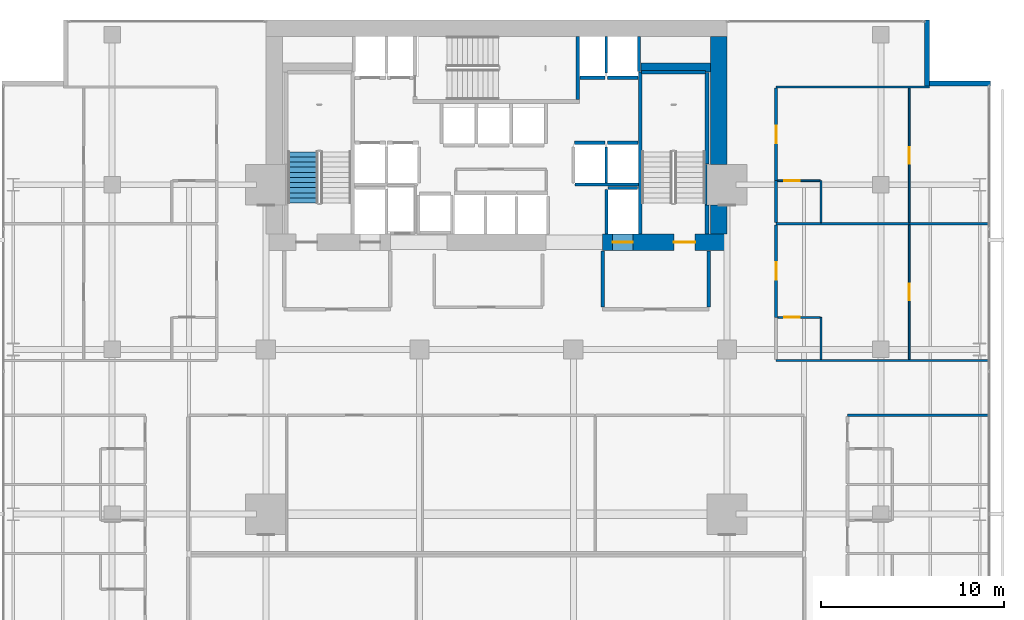
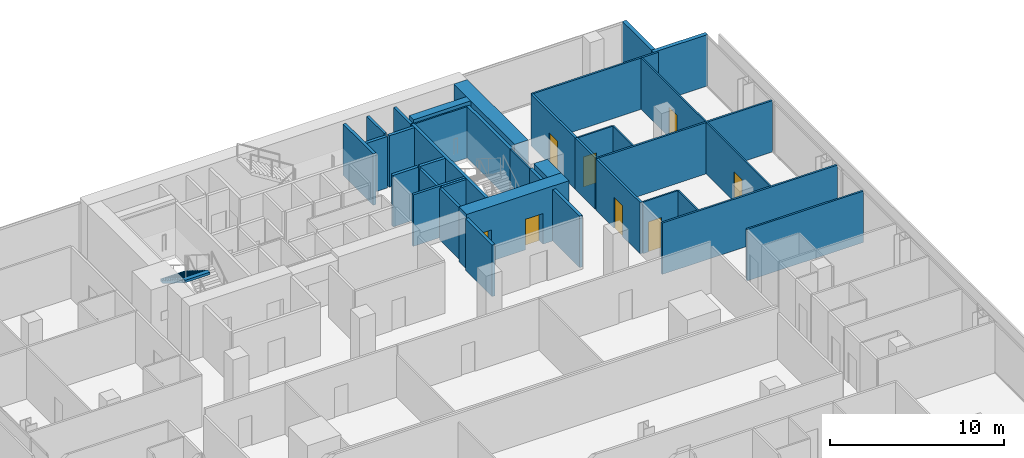
# One storey, part 37 of 40: 37 walls, 8 doors, 1 stair flight, 8 openings, 1 element without a shape of its own.
"""IFC4 building model written with IfcOpenShell, lengths in metres."""

from ifc_helpers import new_model, si_unit, direction, frame, frame_2d, origin, place, context, subcontext, project, spatial, polyline, rectangle, outline, extrude, material, layer, layer_set, type_object, element, fill, aggregate, save


model = new_model("IFC4")

# Units and contexts
model_context = context("Model", 3, precision=1e-05, world=origin(), true_north=direction((0.0, 1.0)))
body_context = subcontext(model_context, "Body", "Model", "MODEL_VIEW")
ifc_project = project(units=[si_unit("LENGTHUNIT", "METRE"), si_unit("AREAUNIT", "SQUARE_METRE"), si_unit("VOLUMEUNIT", "CUBIC_METRE"), si_unit("PLANEANGLEUNIT", "RADIAN"), si_unit("MASSUNIT", "GRAM", prefix="KILO")], contexts=[model_context])

# Site, building, storey
site_placement = place(None, origin())
site = spatial("IfcSite", under=ifc_project, at=site_placement, CompositionType="ELEMENT")
building_placement = place(site_placement, origin())
building = spatial("IfcBuilding", under=site, at=building_placement, Name="Maruvema Waterfront Hotel and Observation Tower", CompositionType="ELEMENT")
storey_placement = place(building_placement, frame((0.0, 0.0, 100.10009765625)))
storey = spatial("IfcBuildingStorey", under=building, at=storey_placement, Name="L24", CompositionType="ELEMENT", Elevation=100.10009765625)

# Wall, opening, door
ifc_material_1 = material(Name="Twin-stud acoustic gypsum drywall", Category="gypsum")
ifc_layer_1 = layer(ifc_material_1, 0.14990234375, Name="Acoustic Corridor and Suite Demising Wall 150 mm")
ifc_layer_set_1 = layer_set([ifc_layer_1], Name="Twin-stud acoustic gypsum drywall")
wall_type_1 = type_object("IfcWallType", Name="Acoustic Corridor and Suite Demising Wall 150 mm", PredefinedType="PARTITIONING", material=ifc_layer_set_1)
wall_1_placement = place(storey_placement, frame((53.080078125, 37.75, 0.0), z_axis=(0.0, 0.0, 1.0), x_axis=(0.0, 1.0, 0.0)))
wall_1 = element("IfcWall", 1, at=wall_1_placement, inside=storey, type_object=wall_type_1, Name="L24 Room L24-NE1 Corridor Wall 113", PredefinedType="PARTITIONING", context=body_context, shape_type="SweptSolid", body=[
    extrude(rectangle(XDim=5.05859375, YDim=0.14990234375, at=frame_2d((2.529296875, 0.0))), origin(), (0.0, 0.0, 1.0), 3.60986328125),
])
opening_1_placement = place(wall_1_placement, frame((2.054443359375, 0.0, 0.0)))
opening_1 = element("IfcOpeningElement", 2, at=opening_1_placement, cuts=wall_1, Name="Opening DR-095", PredefinedType="OPENING", context=body_context, shape_type="SweptSolid", body=[
    extrude(rectangle(XDim=0.949951171875, YDim=2.14990234375, at=frame_2d((0.47509765625, 1.074951171875))), frame((0.0, 0.0849609375, 0.0), z_axis=(0.0, -1.0, 0.0), x_axis=(1.0, 0.0, 0.0)), (0.0, 0.0, 1.0), 0.169921875),
])
ifc_material_2 = material(Name="Acoustic solid-core hardwood timber leaf", Category="wood")
door_type_1 = type_object("IfcDoorType", Name="Guestroom Entrance Fire Door 950x2150 mm", OperationType="NOTDEFINED", PredefinedType="DOOR", material=ifc_material_2)
door_1_placement = place(opening_1_placement, frame((0.949951171875, 0.0, 0.0), z_axis=(0.0, 0.0, 1.0), x_axis=(-1.0, 0.0, 0.0)))
door_1 = element("IfcDoor", 3, at=door_1_placement, inside=storey, type_object=door_type_1, Name="L24 Room L24-NE1 Entrance Door", OperationType="SINGLE_SWING_RIGHT", OverallHeight=2.14990234375, OverallWidth=0.949951171875, PredefinedType="DOOR", context=body_context, shape_type="SweptSolid", body=[
    extrude(rectangle(XDim=0.949951171875, YDim=2.14990234375, at=frame_2d((0.47509765625, 1.074951171875))), frame((0.0, 0.02490234375, 0.0), z_axis=(0.0, -1.0, 0.0), x_axis=(1.0, 0.0, 0.0)), (0.0, 0.0, 1.0), 0.050048828125),
])
fill(opening_1, door_1)

# Wall
wall_2_placement = place(storey_placement, frame((53.080078125, 42.9287109375, 0.0), z_axis=(0.0, 0.0, 1.0), x_axis=(0.0, 1.0, 0.0)))
element("IfcWall", 4, at=wall_2_placement, inside=storey, type_object=wall_type_1, Name="L24 Bath L24-NE2 Wall 124", PredefinedType="PARTITIONING", context=body_context, shape_type="SweptSolid", body=[
    extrude(rectangle(XDim=2.2900390625, YDim=0.14990234375, at=frame_2d((1.14501953125, 0.0))), origin(), (0.0, 0.0, 1.0), 3.60986328125),
])

# Wall, opening, door
wall_3_placement = place(storey_placement, frame((53.080078125, 45.21875, 0.0), z_axis=(0.0, 0.0, 1.0), x_axis=(0.0, 1.0, 0.0)))
wall_3 = element("IfcWall", 5, at=wall_3_placement, inside=storey, type_object=wall_type_1, Name="L24 Room L24-NE2 Corridor Wall 125", PredefinedType="PARTITIONING", context=body_context, shape_type="SweptSolid", body=[
    extrude(rectangle(XDim=5.058837890625, YDim=0.14990234375, at=frame_2d((2.529296875, 0.0))), origin(), (0.0, 0.0, 1.0), 3.60986328125),
])
opening_2_placement = place(wall_3_placement, frame((2.054443359375, 0.0, 0.0)))
opening_2 = element("IfcOpeningElement", 6, at=opening_2_placement, cuts=wall_3, Name="Opening DR-095", PredefinedType="OPENING", context=body_context, shape_type="SweptSolid", body=[
    extrude(rectangle(XDim=0.949951171875, YDim=2.14990234375, at=frame_2d((0.47509765625, 1.074951171875))), frame((0.0, 0.0849609375, 0.0), z_axis=(0.0, -1.0, 0.0), x_axis=(1.0, 0.0, 0.0)), (0.0, 0.0, 1.0), 0.169921875),
])
door_2_placement = place(opening_2_placement, frame((0.949951171875, 0.0, 0.0), z_axis=(0.0, 0.0, 1.0), x_axis=(-1.0, 0.0, 0.0)))
door_2 = element("IfcDoor", 7, at=door_2_placement, inside=storey, type_object=door_type_1, Name="L24 Room L24-NE2 Entrance Door", OperationType="SINGLE_SWING_RIGHT", OverallHeight=2.14990234375, OverallWidth=0.949951171875, PredefinedType="DOOR", context=body_context, shape_type="SweptSolid", body=[
    extrude(rectangle(XDim=0.949951171875, YDim=2.14990234375, at=frame_2d((0.47509765625, 1.074951171875))), frame((0.0, 0.02490234375, 0.0), z_axis=(0.0, -1.0, 0.0), x_axis=(1.0, 0.0, 0.0)), (0.0, 0.0, 1.0), 0.050048828125),
])
fill(opening_2, door_2)

# Walls
ifc_material_3 = material(Name="Precast concrete C45/55", Category="concrete")
ifc_layer_2 = layer(ifc_material_3, 0.199951171875, Name="Core Shaft and Stairwell Enclosure Wall 200 mm")
ifc_layer_set_2 = layer_set([ifc_layer_2], Name="Precast concrete C45/55")
wall_type_2 = type_object("IfcWallType", Name="Core Shaft and Stairwell Enclosure Wall 200 mm", PredefinedType="SOLIDWALL", material=ifc_layer_set_2)
wall_4_placement = place(storey_placement, frame((42.25, 49.64990234375, 0.0), z_axis=(0.0, 0.0, 1.0), x_axis=(0.0, 1.0, 0.0)))
element("IfcWall", 8, at=wall_4_placement, inside=storey, type_object=wall_type_2, Name="L24 Stairwell ST-02 Shaft Wall", PredefinedType="SOLIDWALL", context=body_context, shape_type="SweptSolid", body=[
    extrude(rectangle(XDim=3.4501953125, YDim=0.199951171875, at=frame_2d((1.72509765625, 0.0))), origin(), (0.0, 0.0, 1.0), 3.60986328125),
])
wall_5_placement = place(storey_placement, frame((45.64990234375, 42.300048828125, 0.0), z_axis=(0.0, 0.0, 1.0), x_axis=(0.0, 1.0, 0.0)))
element("IfcWall", 9, at=wall_5_placement, inside=storey, type_object=wall_type_2, Name="L24 Stairwell ST-03 West Shaft Wall", PredefinedType="SOLIDWALL", context=body_context, shape_type="SweptSolid", body=[
    extrude(rectangle(XDim=8.849853515625, YDim=0.199951171875, at=frame_2d((4.4248046875, 0.0))), origin(), (0.0, 0.0, 1.0), 3.60986328125),
])
wall_6_placement = place(storey_placement, frame((49.300048828125, 42.300048828125, 0.0), z_axis=(0.0, 0.0, 1.0), x_axis=(0.0, 1.0, 0.0)))
element("IfcWall", 10, at=wall_6_placement, inside=storey, type_object=wall_type_2, Name="L24 Stairwell ST-03 Shaft Lining Wall", PredefinedType="SOLIDWALL", context=body_context, shape_type="SweptSolid", body=[
    extrude(rectangle(XDim=1.579833984375, YDim=0.199951171875, at=frame_2d((0.7900390625, 0.0))), origin(), (0.0, 0.0, 1.0), 3.60986328125),
])
wall_7_placement = place(storey_placement, frame((49.300048828125, 46.1201171875, 0.0), z_axis=(0.0, 0.0, 1.0), x_axis=(0.0, 1.0, 0.0)))
element("IfcWall", 11, at=wall_7_placement, inside=storey, type_object=wall_type_2, Name="L24 Stairwell ST-03 Shaft Lining Wall", PredefinedType="SOLIDWALL", context=body_context, shape_type="SweptSolid", body=[
    extrude(rectangle(XDim=5.0, YDim=0.199951171875, at=frame_2d((2.5, 0.0))), origin(), (0.0, 0.0, 1.0), 3.60986328125),
])
wall_8_placement = place(storey_placement, frame((45.719970703125, 51.14990234375, 0.0), z_axis=(0.0, 0.0, 1.0), x_axis=(1.0, 0.0, 0.0)))
element("IfcWall", 12, at=wall_8_placement, inside=storey, type_object=wall_type_2, Name="L24 Stairwell ST-03 Shaft Lining Wall", PredefinedType="SOLIDWALL", context=body_context, shape_type="SweptSolid", body=[
    extrude(rectangle(XDim=3.5, YDim=0.199951171875, at=frame_2d((1.75, 0.0))), origin(), (0.0, 0.0, 1.0), 3.60986328125),
])
for number, where, z_axis, x_axis, name in (
    (13, (42.06005859375, 47.300048828125, 0.0), (0.0, 0.0, 1.0), (1.0, 0.0, 0.0), "L24 Lift LF-05 Hoistway Front Wall"),
    (14, (43.860107421875, 47.300048828125, 0.0), (0.0, 0.0, 1.0), (1.0, 0.0, 0.0), "L24 Lift LF-06 Hoistway Front Wall"),
):
    element("IfcWall", number, at=place(storey_placement, frame(where, z_axis=z_axis, x_axis=x_axis)), inside=storey, type_object=wall_type_2, Name=name, PredefinedType="SOLIDWALL", context=body_context, shape_type="SweptSolid", body=[
        extrude(rectangle(XDim=1.679931640625, YDim=0.199951171875, at=frame_2d((0.83984375, 0.0))), origin(), (0.0, 0.0, 1.0), 3.60986328125),
    ])
wall_9_placement = place(storey_placement, frame((42.360107421875, 50.85009765625, 0.0), z_axis=(0.0, 0.0, 1.0), x_axis=(1.0, 0.0, 0.0)))
element("IfcWall", 15, at=wall_9_placement, inside=storey, type_object=wall_type_2, Name="L24 Lift LF-07 Hoistway Front Wall", PredefinedType="SOLIDWALL", context=body_context, shape_type="SweptSolid", body=[
    extrude(rectangle(XDim=1.3798828125, YDim=0.199951171875, at=frame_2d((0.68994140625, 0.0))), origin(), (0.0, 0.0, 1.0), 3.60986328125),
])
wall_10_placement = place(storey_placement, frame((43.860107421875, 50.85009765625, 0.0), z_axis=(0.0, 0.0, 1.0), x_axis=(1.0, 0.0, 0.0)))
element("IfcWall", 16, at=wall_10_placement, inside=storey, type_object=wall_type_2, Name="L24 Lift LF-08 Hoistway Front Wall", PredefinedType="SOLIDWALL", context=body_context, shape_type="SweptSolid", body=[
    extrude(rectangle(XDim=1.679931640625, YDim=0.199951171875, at=frame_2d((0.83984375, 0.0))), origin(), (0.0, 0.0, 1.0), 3.60986328125),
])
ifc_material_4 = material(Name="Concrete C70/85", Category="concrete")
ifc_layer_3 = layer(ifc_material_4, 0.5, Name="Core Shear Wall 500 mm")
ifc_layer_set_3 = layer_set([ifc_layer_3], Name="Concrete C70/85")
wall_type_3 = type_object("IfcWallType", Name="Core Shear Wall 500 mm", PredefinedType="SHEAR", material=ifc_layer_set_3)
wall_11_placement = place(storey_placement, frame((45.699951171875, 51.39990234375, 0.0), z_axis=(0.0, 0.0, 1.0), x_axis=(1.0, 0.0, 0.0)))
element("IfcWall", 17, at=wall_11_placement, inside=storey, type_object=wall_type_3, Name="L24 Internal Core Shear Wall NE 500 mm", PredefinedType="SHEAR", context=body_context, shape_type="SweptSolid", body=[
    extrude(rectangle(XDim=3.800048828125, YDim=0.5, at=frame_2d((1.89990234375, 0.0))), origin(), (0.0, 0.0, 1.0), 3.849853515625),
])

# Wall, openings, doors
ifc_material_5 = material(Name="Concrete C80/95", Category="concrete")
ifc_layer_4 = layer(ifc_material_5, 0.89990234375, Name="Core Shear Wall 900 mm")
ifc_layer_set_4 = layer_set([ifc_layer_4], Name="Concrete C80/95")
wall_type_4 = type_object("IfcWallType", Name="Core Shear Wall 900 mm", PredefinedType="SHEAR", material=ifc_layer_set_4)
wall_12_placement = place(storey_placement, frame((43.60009765625, 41.85009765625, 0.0), z_axis=(0.0, 0.0, 1.0), x_axis=(1.0, 0.0, 0.0)))
wall_12 = element("IfcWall", 18, at=wall_12_placement, inside=storey, type_object=wall_type_4, Name="L24 South-East Core Shear Wall", PredefinedType="SHEAR", context=body_context, shape_type="SweptSolid", body=[
    extrude(rectangle(XDim=6.7998046875, YDim=0.89990234375, at=frame_2d((3.39990234375, 0.0))), origin(), (0.0, 0.0, 1.0), 3.849853515625),
])
opening_3_placement = place(wall_12_placement, frame((3.89990234375, 0.0, 0.0)))
opening_3 = element("IfcOpeningElement", 19, at=opening_3_placement, cuts=wall_12, Name="Opening SD-01", PredefinedType="OPENING", context=body_context, shape_type="SweptSolid", body=[
    extrude(rectangle(XDim=1.14990234375, YDim=2.14990234375, at=frame_2d((0.574951171875, 1.074951171875))), frame((0.0, 0.4599609375, 0.0), z_axis=(0.0, -1.0, 0.0), x_axis=(1.0, 0.0, 0.0)), (0.0, 0.0, 1.0), 0.919921875),
])
opening_4_placement = place(wall_12_placement, frame((0.550048828125, 0.0, 0.0)))
opening_4 = element("IfcOpeningElement", 20, at=opening_4_placement, cuts=wall_12, Name="Opening LD-03", PredefinedType="OPENING", context=body_context, shape_type="SweptSolid", body=[
    extrude(rectangle(XDim=1.10009765625, YDim=2.199951171875, at=frame_2d((0.550048828125, 1.10009765625))), frame((0.0, 0.4599609375, 0.0), z_axis=(0.0, -1.0, 0.0), x_axis=(1.0, 0.0, 0.0)), (0.0, 0.0, 1.0), 0.919921875),
])
ifc_material_6 = material(Name="Fire-rated galvanised steel leaf", Category="steel")
door_type_2 = type_object("IfcDoorType", Name="Exit Stair Fire Door 1150x2150 mm", OperationType="NOTDEFINED", PredefinedType="DOOR", material=ifc_material_6)
door_3_placement = place(opening_3_placement, origin())
door_3 = element("IfcDoor", 21, at=door_3_placement, inside=storey, type_object=door_type_2, Name="L24 Exit Stair ST-03 Fire Door", OperationType="SINGLE_SWING_RIGHT", OverallHeight=2.14990234375, OverallWidth=1.14990234375, PredefinedType="DOOR", context=body_context, shape_type="SweptSolid", body=[
    extrude(rectangle(XDim=1.14990234375, YDim=2.14990234375, at=frame_2d((0.574951171875, 1.074951171875))), frame((0.0, 0.02490234375, 0.0), z_axis=(0.0, -1.0, 0.0), x_axis=(1.0, 0.0, 0.0)), (0.0, 0.0, 1.0), 0.050048828125),
])
fill(opening_3, door_3)
ifc_material_7 = material(Name="Brushed stainless steel Grade 316", Category="steel")
door_type_3 = type_object("IfcDoorType", Name="Firefighting Lift Sliding Landing Door 1100x2200 mm", OperationType="SLIDING_TO_LEFT", PredefinedType="DOOR", material=ifc_material_7)
door_4_placement = place(opening_4_placement, frame((1.10009765625, 0.0, 0.0), z_axis=(0.0, 0.0, 1.0), x_axis=(-1.0, 0.0, 0.0)))
door_4 = element("IfcDoor", 22, at=door_4_placement, inside=storey, type_object=door_type_3, Name="L24 Firefighting Lift FL-02 Landing Door", OperationType="SLIDING_TO_LEFT", OverallHeight=2.199951171875, OverallWidth=1.10009765625, PredefinedType="DOOR", context=body_context, shape_type="SweptSolid", body=[
    extrude(rectangle(XDim=1.10009765625, YDim=2.199951171875, at=frame_2d((0.550048828125, 1.10009765625))), frame((0.0, 0.02490234375, 0.0), z_axis=(0.0, -1.0, 0.0), x_axis=(1.0, 0.0, 0.0)), (0.0, 0.0, 1.0), 0.050048828125),
])
fill(opening_4, door_4)

# Walls
wall_13_placement = place(storey_placement, frame((49.949951171875, 42.300048828125, 0.0), z_axis=(0.0, 0.0, 1.0), x_axis=(0.0, 1.0, 0.0)))
element("IfcWall", 23, at=wall_13_placement, inside=storey, type_object=wall_type_4, Name="L24 East-South Core Shear Wall", PredefinedType="SHEAR", context=body_context, shape_type="SweptSolid", body=[
    extrude(rectangle(XDim=1.599853515625, YDim=0.89990234375, at=frame_2d((0.7998046875, 0.0))), origin(), (0.0, 0.0, 1.0), 3.849853515625),
])
wall_14_placement = place(storey_placement, frame((49.949951171875, 46.10009765625, 0.0), z_axis=(0.0, 0.0, 1.0), x_axis=(0.0, 1.0, 0.0)))
element("IfcWall", 24, at=wall_14_placement, inside=storey, type_object=wall_type_4, Name="L24 East-North Core Shear Wall", PredefinedType="SHEAR", context=body_context, shape_type="SweptSolid", body=[
    extrude(rectangle(XDim=7.0, YDim=0.89990234375, at=frame_2d((3.5, 0.0))), origin(), (0.0, 0.0, 1.0), 3.849853515625),
])
ifc_material_8 = material(Name="Moisture-resistant cement-board drywall", Category="gypsum")
ifc_layer_5 = layer(ifc_material_8, 0.10009765625, Name="En-Suite Moisture-Resistant Partition 100 mm")
ifc_layer_set_5 = layer_set([ifc_layer_5], Name="Moisture-resistant cement-board drywall")
wall_type_5 = type_object("IfcWallType", Name="En-Suite Moisture-Resistant Partition 100 mm", PredefinedType="PARTITIONING", material=ifc_layer_set_5)
wall_15_placement = place(storey_placement, frame((55.530029296875, 35.4599609375, 0.0), z_axis=(0.0, 0.0, 1.0), x_axis=(0.0, 1.0, 0.0)))
element("IfcWall", 25, at=wall_15_placement, inside=storey, type_object=wall_type_5, Name="L24 En-Suite L24-NE1 E 114", PredefinedType="PARTITIONING", context=body_context, shape_type="SweptSolid", body=[
    extrude(rectangle(XDim=2.2900390625, YDim=0.10009765625, at=frame_2d((1.14501953125, 0.0))), origin(), (0.0, 0.0, 1.0), 3.60986328125),
])

# Wall, opening, door
wall_16_placement = place(storey_placement, frame((53.179931640625, 37.75, 0.0), z_axis=(0.0, 0.0, 1.0), x_axis=(1.0, 0.0, 0.0)))
wall_16 = element("IfcWall", 26, at=wall_16_placement, inside=storey, type_object=wall_type_5, Name="L24 En-Suite L24-NE1 N 115", PredefinedType="PARTITIONING", context=body_context, shape_type="SweptSolid", body=[
    extrude(rectangle(XDim=2.300048828125, YDim=0.10009765625, at=frame_2d((1.14990234375, 0.0))), origin(), (0.0, 0.0, 1.0), 3.60986328125),
])
opening_5_placement = place(wall_16_placement, frame((0.35009765625, 0.0, 0.0)))
opening_5 = element("IfcOpeningElement", 27, at=opening_5_placement, cuts=wall_16, Name="Opening DR-085", PredefinedType="OPENING", context=body_context, shape_type="SweptSolid", body=[
    extrude(rectangle(XDim=0.85009765625, YDim=2.10009765625, at=frame_2d((0.425048828125, 1.050048828125))), frame((0.0, 0.06005859375, 0.0), z_axis=(0.0, -1.0, 0.0), x_axis=(1.0, 0.0, 0.0)), (0.0, 0.0, 1.0), 0.1201171875),
])
ifc_material_9 = material(Name="Moisture-resistant solid timber leaf", Category="wood")
door_type_4 = type_object("IfcDoorType", Name="En-Suite Bathroom Door 850x2100 mm", OperationType="NOTDEFINED", PredefinedType="DOOR", material=ifc_material_9)
door_5_placement = place(opening_5_placement, origin())
door_5 = element("IfcDoor", 28, at=door_5_placement, inside=storey, type_object=door_type_4, Name="L24 En-Suite L24-NE1 Door", OperationType="SINGLE_SWING_LEFT", OverallHeight=2.10009765625, OverallWidth=0.85009765625, PredefinedType="DOOR", context=body_context, shape_type="SweptSolid", body=[
    extrude(rectangle(XDim=0.85009765625, YDim=2.10009765625, at=frame_2d((0.425048828125, 1.050048828125))), frame((0.0, 0.02490234375, 0.0), z_axis=(0.0, -1.0, 0.0), x_axis=(1.0, 0.0, 0.0)), (0.0, 0.0, 1.0), 0.050048828125),
])
fill(opening_5, door_5)

wall_17_placement = place(storey_placement, frame((60.350341796875, 35.4599609375, 0.0), z_axis=(0.0, 0.0, 1.0), x_axis=(0.0, 1.0, 0.0)))
wall_17 = element("IfcWall", 29, at=wall_17_placement, inside=storey, type_object=wall_type_5, Name="L24 Suite L24-NE1 Split 116", PredefinedType="PARTITIONING", context=body_context, shape_type="SweptSolid", body=[
    extrude(rectangle(XDim=7.3486328125, YDim=0.10009765625, at=frame_2d((3.67431640625, 0.0))), origin(), (0.0, 0.0, 1.0), 3.60986328125),
])
opening_6_placement = place(wall_17_placement, frame((3.224365234375, 0.0, 0.0)))
opening_6 = element("IfcOpeningElement", 30, at=opening_6_placement, cuts=wall_17, Name="Opening DR-090", PredefinedType="OPENING", context=body_context, shape_type="SweptSolid", body=[
    extrude(rectangle(XDim=0.89990234375, YDim=2.10009765625, at=frame_2d((0.449951171875, 1.050048828125))), frame((0.0, 0.06005859375, 0.0), z_axis=(0.0, -1.0, 0.0), x_axis=(1.0, 0.0, 0.0)), (0.0, 0.0, 1.0), 0.1201171875),
])
ifc_material_10 = material(Name="Solid-core lacquered timber leaf", Category="wood")
door_type_5 = type_object("IfcDoorType", Name="Accessible Toilet and Room Door 900x2100 mm", OperationType="NOTDEFINED", PredefinedType="DOOR", material=ifc_material_10)
door_6_placement = place(opening_6_placement, frame((0.89990234375, 0.0, 0.0), z_axis=(0.0, 0.0, 1.0), x_axis=(-1.0, 0.0, 0.0)))
door_6 = element("IfcDoor", 31, at=door_6_placement, inside=storey, type_object=door_type_5, Name="L24 Suite L24-NE1 Bedroom Door", OperationType="SINGLE_SWING_LEFT", OverallHeight=2.10009765625, OverallWidth=0.89990234375, PredefinedType="DOOR", context=body_context, shape_type="SweptSolid", body=[
    extrude(rectangle(XDim=0.89990234375, YDim=2.10009765625, at=frame_2d((0.449951171875, 1.050048828125))), frame((0.0, 0.02490234375, 0.0), z_axis=(0.0, -1.0, 0.0), x_axis=(1.0, 0.0, 0.0)), (0.0, 0.0, 1.0), 0.050048828125),
])
fill(opening_6, door_6)

# Wall
wall_18_placement = place(storey_placement, frame((55.530029296875, 42.9287109375, 0.0), z_axis=(0.0, 0.0, 1.0), x_axis=(0.0, 1.0, 0.0)))
element("IfcWall", 32, at=wall_18_placement, inside=storey, type_object=wall_type_5, Name="L24 En-Suite L24-NE2 E 126", PredefinedType="PARTITIONING", context=body_context, shape_type="SweptSolid", body=[
    extrude(rectangle(XDim=2.2900390625, YDim=0.10009765625, at=frame_2d((1.14501953125, 0.0))), origin(), (0.0, 0.0, 1.0), 3.60986328125),
])

# Wall, opening, door
wall_19_placement = place(storey_placement, frame((53.179931640625, 45.21875, 0.0), z_axis=(0.0, 0.0, 1.0), x_axis=(1.0, 0.0, 0.0)))
wall_19 = element("IfcWall", 33, at=wall_19_placement, inside=storey, type_object=wall_type_5, Name="L24 En-Suite L24-NE2 N 127", PredefinedType="PARTITIONING", context=body_context, shape_type="SweptSolid", body=[
    extrude(rectangle(XDim=2.300048828125, YDim=0.10009765625, at=frame_2d((1.14990234375, 0.0))), origin(), (0.0, 0.0, 1.0), 3.60986328125),
])
opening_7_placement = place(wall_19_placement, frame((0.35009765625, 0.0, 0.0)))
opening_7 = element("IfcOpeningElement", 34, at=opening_7_placement, cuts=wall_19, Name="Opening DR-085", PredefinedType="OPENING", context=body_context, shape_type="SweptSolid", body=[
    extrude(rectangle(XDim=0.85009765625, YDim=2.10009765625, at=frame_2d((0.425048828125, 1.050048828125))), frame((0.0, 0.06005859375, 0.0), z_axis=(0.0, -1.0, 0.0), x_axis=(1.0, 0.0, 0.0)), (0.0, 0.0, 1.0), 0.1201171875),
])
door_7_placement = place(opening_7_placement, origin())
door_7 = element("IfcDoor", 35, at=door_7_placement, inside=storey, type_object=door_type_4, Name="L24 En-Suite L24-NE2 Door", OperationType="SINGLE_SWING_LEFT", OverallHeight=2.10009765625, OverallWidth=0.85009765625, PredefinedType="DOOR", context=body_context, shape_type="SweptSolid", body=[
    extrude(rectangle(XDim=0.85009765625, YDim=2.10009765625, at=frame_2d((0.425048828125, 1.050048828125))), frame((0.0, 0.02490234375, 0.0), z_axis=(0.0, -1.0, 0.0), x_axis=(1.0, 0.0, 0.0)), (0.0, 0.0, 1.0), 0.050048828125),
])
fill(opening_7, door_7)

wall_20_placement = place(storey_placement, frame((60.350341796875, 42.9287109375, 0.0), z_axis=(0.0, 0.0, 1.0), x_axis=(0.0, 1.0, 0.0)))
wall_20 = element("IfcWall", 36, at=wall_20_placement, inside=storey, type_object=wall_type_5, Name="L24 Suite L24-NE2 Split 128", PredefinedType="PARTITIONING", context=body_context, shape_type="SweptSolid", body=[
    extrude(rectangle(XDim=7.348876953125, YDim=0.10009765625, at=frame_2d((3.67431640625, 0.0))), origin(), (0.0, 0.0, 1.0), 3.60986328125),
])
opening_8_placement = place(wall_20_placement, frame((3.224365234375, 0.0, 0.0)))
opening_8 = element("IfcOpeningElement", 37, at=opening_8_placement, cuts=wall_20, Name="Opening DR-090", PredefinedType="OPENING", context=body_context, shape_type="SweptSolid", body=[
    extrude(rectangle(XDim=0.89990234375, YDim=2.10009765625, at=frame_2d((0.449951171875, 1.050048828125))), frame((0.0, 0.06005859375, 0.0), z_axis=(0.0, -1.0, 0.0), x_axis=(1.0, 0.0, 0.0)), (0.0, 0.0, 1.0), 0.1201171875),
])
door_8_placement = place(opening_8_placement, frame((0.89990234375, 0.0, 0.0), z_axis=(0.0, 0.0, 1.0), x_axis=(-1.0, 0.0, 0.0)))
door_8 = element("IfcDoor", 38, at=door_8_placement, inside=storey, type_object=door_type_5, Name="L24 Suite L24-NE2 Bedroom Door", OperationType="SINGLE_SWING_LEFT", OverallHeight=2.10009765625, OverallWidth=0.89990234375, PredefinedType="DOOR", context=body_context, shape_type="SweptSolid", body=[
    extrude(rectangle(XDim=0.89990234375, YDim=2.10009765625, at=frame_2d((0.449951171875, 1.050048828125))), frame((0.0, 0.02490234375, 0.0), z_axis=(0.0, -1.0, 0.0), x_axis=(1.0, 0.0, 0.0)), (0.0, 0.0, 1.0), 0.050048828125),
])
fill(opening_8, door_8)

# Walls
ifc_material_11 = material(Name="Precast concrete C45/55 with honed Pernambuco granite facing", Category="masonry")
ifc_layer_6 = layer(ifc_material_11, 0.260009765625, Name="Exterior Granite Clad Spandrel and Pier Wall 260 mm")
ifc_layer_set_6 = layer_set([ifc_layer_6], Name="Precast concrete C45/55 with honed Pernambuco granite facing")
wall_type_6 = type_object("IfcWallType", Name="Exterior Granite Clad Spandrel and Pier Wall 260 mm", PredefinedType="SOLIDWALL", material=ifc_layer_set_6)
for number, where, z_axis, x_axis, name in (
    (39, (61.330078125, 54.0, 0.0), (0.0, 0.0, 1.0), (0.0, -1.0, 0.0), "L24 Corner Notch Granite Pier Wall NE1"),
    (40, (61.199951171875, 50.530029296875, 0.0), (0.0, 0.0, 1.0), (1.0, 0.0, 0.0), "L24 Corner Notch Granite Pier Wall NE2"),
):
    element("IfcWall", number, at=place(storey_placement, frame(where, z_axis=z_axis, x_axis=x_axis)), inside=storey, type_object=wall_type_6, Name=name, PredefinedType="SOLIDWALL", context=body_context, shape_type="SweptSolid", body=[
        extrude(rectangle(XDim=3.60009765625, YDim=0.260009765625, at=frame_2d((1.800048828125, 0.0))), origin(), (0.0, 0.0, 1.0), 3.60986328125),
    ])
ifc_material_12 = material(Name="Autoclaved cellular concrete blockwork", Category="masonry")
ifc_layer_7 = layer(ifc_material_12, 0.199951171875, Name="Fire Compartment Masonry Wall 200 mm")
ifc_layer_set_7 = layer_set([ifc_layer_7], Name="Autoclaved cellular concrete blockwork")
wall_type_7 = type_object("IfcWallType", Name="Fire Compartment Masonry Wall 200 mm", PredefinedType="PARTITIONING", material=ifc_layer_set_7)
for number, where, z_axis, x_axis, name in (
    (41, (43.60009765625, 38.31005859375, 0.0), (0.0, 0.0, 1.0), (0.0, 1.0, 0.0), "L24 FFL East West Wall 005"),
    (42, (49.39990234375, 38.31005859375, 0.0), (0.0, 0.0, 1.0), (0.0, 1.0, 0.0), "L24 FFL East East Wall 006"),
):
    element("IfcWall", number, at=place(storey_placement, frame(where, z_axis=z_axis, x_axis=x_axis)), inside=storey, type_object=wall_type_7, Name=name, PredefinedType="PARTITIONING", context=body_context, shape_type="SweptSolid", body=[
        extrude(rectangle(XDim=3.06982421875, YDim=0.199951171875, at=frame_2d((1.534912109375, 0.0))), origin(), (0.0, 0.0, 1.0), 3.60986328125),
    ])
ifc_material_13 = material(Name="Acoustic gypsum plasterboard drywall", Category="gypsum")
ifc_layer_8 = layer(ifc_material_13, 0.125, Name="Guestroom Acoustic Demising Wall 125 mm")
ifc_layer_set_8 = layer_set([ifc_layer_8], Name="Acoustic gypsum plasterboard drywall")
wall_type_8 = type_object("IfcWallType", Name="Guestroom Acoustic Demising Wall 125 mm", PredefinedType="PARTITIONING", material=ifc_layer_set_8)
wall_21_placement = place(storey_placement, frame((56.97998046875, 32.39990234375, 0.0), z_axis=(0.0, 0.0, 1.0), x_axis=(1.0, 0.0, 0.0)))
element("IfcWall", 43, at=wall_21_placement, inside=storey, type_object=wall_type_8, Name="L24 E Top End 064", PredefinedType="PARTITIONING", context=body_context, shape_type="SweptSolid", body=[
    extrude(rectangle(XDim=7.719970703125, YDim=0.125, at=frame_2d((3.85986328125, 0.0))), origin(), (0.0, 0.0, 1.0), 3.60986328125),
])
wall_22_placement = place(storey_placement, frame((53.080078125, 35.39990234375, 0.0), z_axis=(0.0, 0.0, 1.0), x_axis=(1.0, 0.0, 0.0)))
element("IfcWall", 44, at=wall_22_placement, inside=storey, type_object=wall_type_8, Name="L24 NE Bot End 104", PredefinedType="PARTITIONING", context=body_context, shape_type="SweptSolid", body=[
    extrude(rectangle(XDim=11.619873046875, YDim=0.125, at=frame_2d((5.81005859375, 0.0))), origin(), (0.0, 0.0, 1.0), 3.60986328125),
])
wall_23_placement = place(storey_placement, frame((53.080078125, 50.33740234375, 0.0), z_axis=(0.0, 0.0, 1.0), x_axis=(1.0, 0.0, 0.0)))
element("IfcWall", 45, at=wall_23_placement, inside=storey, type_object=wall_type_8, Name="L24 NE Top End 106", PredefinedType="PARTITIONING", context=body_context, shape_type="SweptSolid", body=[
    extrude(rectangle(XDim=8.3798828125, YDim=0.125, at=frame_2d((4.18994140625, 0.0))), origin(), (0.0, 0.0, 1.0), 3.60986328125),
])
wall_24_placement = place(storey_placement, frame((53.080078125, 42.86865234375, 0.0), z_axis=(0.0, 0.0, 1.0), x_axis=(1.0, 0.0, 0.0)))
element("IfcWall", 46, at=wall_24_placement, inside=storey, type_object=wall_type_8, Name="L24 NE Demising 2 118", PredefinedType="PARTITIONING", context=body_context, shape_type="SweptSolid", body=[
    extrude(rectangle(XDim=11.619873046875, YDim=0.125, at=frame_2d((5.81005859375, 0.0))), origin(), (0.0, 0.0, 1.0), 3.60986328125),
])
ifc_material_14 = material(Name="Precast concrete C45/55", Category="concrete")
ifc_layer_9 = layer(ifc_material_14, 0.159912109375, Name="Lift Hoistway Divider Wall 160 mm")
ifc_layer_set_9 = layer_set([ifc_layer_9], Name="Precast concrete C45/55")
wall_type_9 = type_object("IfcWallType", Name="Lift Hoistway Divider Wall 160 mm", PredefinedType="SOLIDWALL", material=ifc_layer_set_9)
wall_25_placement = place(storey_placement, frame((43.89990234375, 44.830078125, 0.0), z_axis=(0.0, 0.0, 1.0), x_axis=(1.0, 0.0, 0.0)))
element("IfcWall", 47, at=wall_25_placement, inside=storey, type_object=wall_type_9, Name="L24 Lift FL-02 Rear Hoistway Wall", PredefinedType="SOLIDWALL", context=body_context, shape_type="SweptSolid", body=[
    extrude(rectangle(XDim=1.60009765625, YDim=0.159912109375, at=frame_2d((0.800048828125, 0.0))), origin(), (0.0, 0.0, 1.0), 3.60986328125),
])
wall_26_placement = place(storey_placement, frame((43.820068359375, 42.300048828125, 0.0), z_axis=(0.0, 0.0, 1.0), x_axis=(0.0, 1.0, 0.0)))
element("IfcWall", 48, at=wall_26_placement, inside=storey, type_object=wall_type_9, Name="L24 Lift FL-02 Inner Hoistway Wall", PredefinedType="SOLIDWALL", context=body_context, shape_type="SweptSolid", body=[
    extrude(rectangle(XDim=2.43994140625, YDim=0.159912109375, at=frame_2d((1.219970703125, 0.0))), origin(), (0.0, 0.0, 1.0), 3.60986328125),
])
wall_27_placement = place(storey_placement, frame((43.800048828125, 45.10009765625, 0.0), z_axis=(0.0, 0.0, 1.0), x_axis=(0.0, 1.0, 0.0)))
element("IfcWall", 49, at=wall_27_placement, inside=storey, type_object=wall_type_9, Name="L24 Hoistway Divider Wall", PredefinedType="SOLIDWALL", context=body_context, shape_type="SweptSolid", body=[
    extrude(rectangle(XDim=1.949951171875, YDim=0.159912109375, at=frame_2d((0.97509765625, 0.0))), origin(), (0.0, 0.0, 1.0), 3.60986328125),
])
wall_28_placement = place(storey_placement, frame((42.10009765625, 45.010009765625, 0.0), z_axis=(0.0, 0.0, 1.0), x_axis=(1.0, 0.0, 0.0)))
element("IfcWall", 50, at=wall_28_placement, inside=storey, type_object=wall_type_9, Name="L24 Hoistway Divider Wall", PredefinedType="SOLIDWALL", context=body_context, shape_type="SweptSolid", body=[
    extrude(rectangle(XDim=3.449951171875, YDim=0.159912109375, at=frame_2d((1.72509765625, 0.0))), origin(), (0.0, 0.0, 1.0), 3.60986328125),
])
wall_29_placement = place(storey_placement, frame((45.590087890625, 51.179931640625, 0.0), z_axis=(0.0, 0.0, 1.0), x_axis=(0.0, 1.0, 0.0)))
element("IfcWall", 51, at=wall_29_placement, inside=storey, type_object=wall_type_9, Name="L24 Hoistway Divider Wall", PredefinedType="SOLIDWALL", context=body_context, shape_type="SweptSolid", body=[
    extrude(rectangle(XDim=1.920166015625, YDim=0.159912109375, at=frame_2d((0.9599609375, 0.0))), origin(), (0.0, 0.0, 1.0), 3.60986328125),
])
wall_30_placement = place(storey_placement, frame((43.800048828125, 51.10009765625, 0.0), z_axis=(0.0, 0.0, 1.0), x_axis=(0.0, 1.0, 0.0)))
element("IfcWall", 52, at=wall_30_placement, inside=storey, type_object=wall_type_9, Name="L24 Hoistway Divider Wall", PredefinedType="SOLIDWALL", context=body_context, shape_type="SweptSolid", body=[
    extrude(rectangle(XDim=2.0, YDim=0.159912109375, at=frame_2d((1.0, 0.0))), origin(), (0.0, 0.0, 1.0), 3.60986328125),
])
ifc_material_15 = material(Name="Precast concrete C45/55", Category="concrete")
ifc_layer_10 = layer(ifc_material_15, 0.10009765625, Name="Stairwell Stringer Cheek Wall 100 mm")
ifc_layer_set_10 = layer_set([ifc_layer_10], Name="Precast concrete C45/55")
wall_type_10 = type_object("IfcWallType", Name="Stairwell Stringer Cheek Wall 100 mm", PredefinedType="SOLIDWALL", material=ifc_layer_set_10)
wall_31_placement = place(storey_placement, frame((49.248046875, 43.89990234375, 0.0), z_axis=(0.0, 0.0, 1.0), x_axis=(0.0, 1.0, 0.0)))
element("IfcWall", 53, at=wall_31_placement, inside=storey, type_object=wall_type_10, Name="L24 Stairwell ST-03 Mega-Column Cheek Wall", PredefinedType="SOLIDWALL", context=body_context, shape_type="SweptSolid", body=[
    extrude(rectangle(XDim=2.2001953125, YDim=0.10009765625, at=frame_2d((1.10009765625, 0.0))), origin(), (0.0, 0.0, 1.0), 3.60986328125),
])

# Stair, stair flight
ifc_material_16 = material(Name="Concrete C50/60", Category="concrete")
stair_type = type_object("IfcStairType", Name="Dogleg Exit Stair 1650 mm (22R x 175.0 mm)", PredefinedType="HALF_TURN_STAIR", material=ifc_material_16)
stair_placement = place(storey_placement, origin())
stair = element("IfcStair", 54, at=stair_placement, inside=storey, type_object=stair_type, Name="L24 ST-01", PredefinedType="HALF_TURN_STAIR")
ifc_material_17 = material(Name="Concrete C50/60", Category="concrete")
stair_flight_type = type_object("IfcStairFlightType", Name="Reinforced Concrete Stair Flight 1650 mm (11R x 175.0 mm)", PredefinedType="STRAIGHT", material=ifc_material_17)
stair_flight_placement = place(storey_placement, frame((27.22509765625, 46.800048828125, 1.9248046875), z_axis=(0.0, 0.0, 1.0), x_axis=(0.0, -1.0, 0.0)))
stair_flight = element("IfcStairFlight", 55, at=stair_flight_placement, type_object=stair_flight_type, Name="ST-01 flight 2", NumberOfRisers=11, NumberOfTreads=10, PredefinedType="STRAIGHT", RiserHeight=0.175, TreadLength=0.28, context=body_context, shape_type="SweptSolid", body=[
    extrude(outline(polyline([(0.0, 0.0), (0.0, 0.175048828125), (0.280029296875, 0.175048828125), (0.280029296875, 0.35009765625), (0.56005859375, 0.35009765625), (0.56005859375, 0.52490234375), (0.840087890625, 0.52490234375), (0.840087890625, 0.699951171875), (1.1201171875, 0.699951171875), (1.1201171875, 0.875), (1.39990234375, 0.875), (1.39990234375, 1.050048828125), (1.679931640625, 1.050048828125), (1.679931640625, 1.22509765625), (1.9599609375, 1.22509765625), (1.9599609375, 1.39990234375), (2.239990234375, 1.39990234375), (2.239990234375, 1.574951171875), (2.52001953125, 1.574951171875), (2.52001953125, 1.75), (2.800048828125, 1.75), (2.800048828125, 1.925048828125), (2.800048828125, 1.5732421875), (0.28271484375, 0.0), (0.0, 0.0)])), frame((0.0, 0.824951171875, 0.0), z_axis=(0.0, -1.0, 0.0), x_axis=(1.0, 0.0, 0.0)), (0.0, 0.0, 1.0), 1.64990234375),
])
aggregate(stair, [stair_flight])

save(model, "model.ifc")
